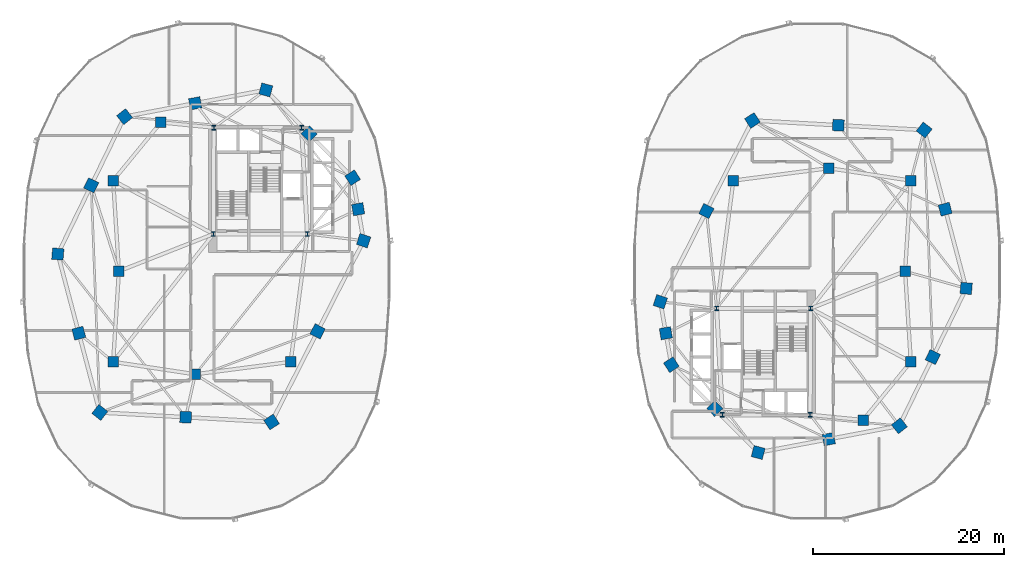
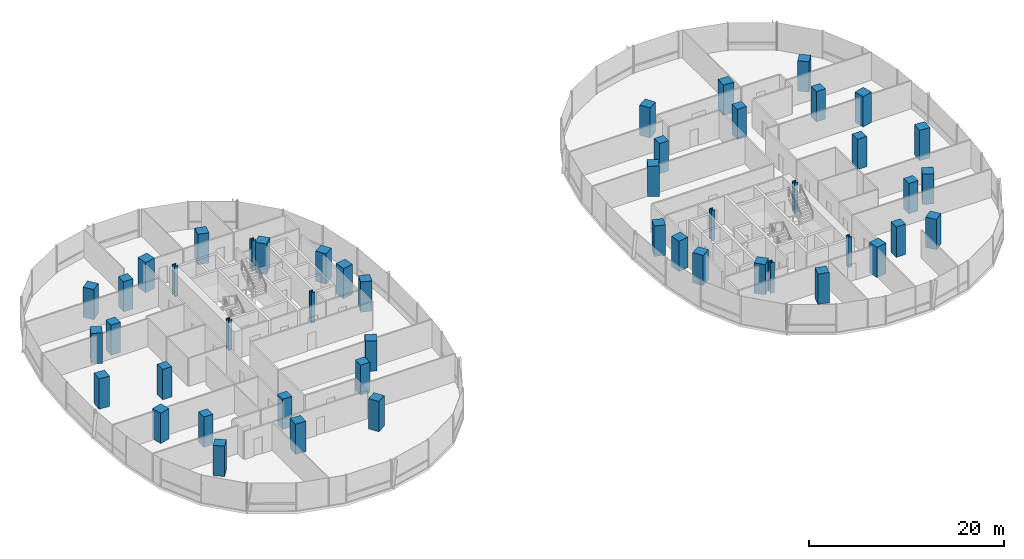
# One storey, part 1 of 22: 48 columns.
"""IFC4 building model written with IfcOpenShell, lengths in metres."""

from ifc_helpers import new_model, si_unit, direction, frame, origin, origin_2d, place, context, subcontext, project, spatial, rectangle, i_section, extrude, material, material_profile, profile_set, type_object, element, save


model = new_model("IFC4")

# Units and contexts
model_context = context("Model", 3, precision=1e-05, world=origin(), true_north=direction((0.0, 1.0)))
body_context = subcontext(model_context, "Body", "Model", "MODEL_VIEW")
ifc_project = project(units=[si_unit("LENGTHUNIT", "METRE"), si_unit("AREAUNIT", "SQUARE_METRE"), si_unit("VOLUMEUNIT", "CUBIC_METRE"), si_unit("PLANEANGLEUNIT", "RADIAN"), si_unit("MASSUNIT", "GRAM", prefix="KILO"), si_unit("THERMODYNAMICTEMPERATUREUNIT", "KELVIN"), si_unit("POWERUNIT", "WATT")], contexts=[model_context])

# Site, building, storey
site_placement = place(None, origin())
site = spatial("IfcSite", under=ifc_project, at=site_placement, CompositionType="ELEMENT")
building_placement = place(site_placement, origin())
building = spatial("IfcBuilding", under=site, at=building_placement, Name="Cundina Bronze Exchange", CompositionType="ELEMENT")
storey_placement = place(building_placement, frame((0.0, 0.0, 39.199951171875)))
storey = spatial("IfcBuildingStorey", under=building, at=storey_placement, Name="L09", CompositionType="ELEMENT", Elevation=39.199951171875)

# Columns
ifc_material_1 = material(Name="Steel ASTM A992 Grade 50", Category="steel")
ifc_material_profile_1 = material_profile(ifc_material_1, i_section(OverallWidth=0.431884765625, OverallDepth=0.498046875, WebThickness=0.0556640625, FlangeThickness=0.0888671875, FilletRadius=0.01806640625, at=origin_2d()), Name="W14X500", Category="steel")
ifc_profile_set_1 = profile_set([ifc_material_profile_1], Name="Steel ASTM A992 Grade 50")
column_type_1 = type_object("IfcColumnType", Name="COL-STL-W14A", PredefinedType="COLUMN", material=ifc_profile_set_1)
for number, where, z_axis, x_axis, name in (
    (1, (-31.300048828125, 3.89990234375, 0.0), (0.0, 0.0, 1.0), (1.0, 0.0, 0.0), "L09 Core Anchor Column W1"),
    (2, (-21.449951171875, 3.89990234375, 0.0), (0.0, 0.0, 1.0), (1.0, 0.0, 0.0), "L09 Core Anchor Column W2"),
    (3, (-22.050048828125, 15.050048828125, 0.0), (0.0, 0.0, 1.0), (1.0, 0.0, 0.0), "L09 Core Anchor Column W3"),
    (4, (-31.25, 15.050048828125, 0.0), (0.0, 0.0, 1.0), (1.0, 0.0, 0.0), "L09 Core Anchor Column W4"),
    (5, (31.300048828125, -3.89990234375, 0.0), (0.0, 0.0, 1.0), (1.0, 0.0, 0.0), "L09 Core Anchor Column E1"),
    (6, (21.449951171875, -3.89990234375, 0.0), (0.0, 0.0, 1.0), (1.0, 0.0, 0.0), "L09 Core Anchor Column E2"),
    (7, (22.050048828125, -15.050048828125, 0.0), (0.0, 0.0, 1.0), (1.0, 0.0, 0.0), "L09 Core Anchor Column E3"),
    (8, (31.25, -15.050048828125, 0.0), (0.0, 0.0, 1.0), (1.0, 0.0, 0.0), "L09 Core Anchor Column E4"),
):
    element("IfcColumn", number, at=place(storey_placement, frame(where, z_axis=z_axis, x_axis=x_axis)), inside=storey, type_object=column_type_1, Name=name, PredefinedType="COLUMN", context=body_context, shape_type="SweptSolid", body=[
        extrude(i_section(OverallWidth=0.431884765625, OverallDepth=0.498046875, WebThickness=0.0556640625, FlangeThickness=0.0888671875, FilletRadius=0.01806640625, at=origin_2d()), origin(), (0.0, 0.0, 1.0), 3.800048828125),
    ])
ifc_material_2 = material(Name="Concrete C60/75", Category="concrete")
ifc_material_profile_2 = material_profile(ifc_material_2, rectangle(XDim=1.199951171875, YDim=1.199951171875, at=origin_2d()), Name="RC1200X1200", Category="concrete")
ifc_profile_set_2 = profile_set([ifc_material_profile_2], Name="Concrete C60/75")
column_type_2 = type_object("IfcColumnType", Name="COL-Z1-1200", PredefinedType="COLUMN", material=ifc_profile_set_2)
for number, where, z_axis, x_axis, name in (
    (9, (-15.550048828125, 3.199951171875, 0.0), (0.0, 0.0, 1.0), (0.315152163383, 0.949041155016, 0.0), "L09 W Perimeter Column 00"),
    (10, (-16.125, 6.5, 0.0), (0.0, 0.0, 1.0), (-0.171585221787, 0.985169280715, 0.0), "L09 W Perimeter Column 01"),
    (11, (-16.699951171875, 9.800048828125, 0.0), (0.0, 0.0, 1.0), (-0.544199833495, 0.838955625301, 0.0), "L09 W Perimeter Column 02"),
    (12, (-21.25, 14.39990234375, 0.0), (0.0, 0.0, 1.0), (-0.703270634186, 0.710922228581, 0.0), "L09 W Perimeter Column 03"),
    (13, (-25.800048828125, 19.0, 0.0), (0.0, 0.0, 1.0), (-0.965970984022, 0.258650455301, 0.0), "L09 W Perimeter Column 04"),
    (14, (-33.199951171875, 17.60009765625, 0.0), (0.0, 0.0, 1.0), (-0.98258037664, -0.185838110843, 0.0), "L09 W Perimeter Column 05"),
    (15, (-40.60009765625, 16.199951171875, 0.0), (0.0, 0.0, 1.0), (-0.785100778485, -0.619368038909, 0.0), "L09 W Perimeter Column 06"),
    (16, (-44.10009765625, 9.0, 0.0), (0.0, 0.0, 1.0), (-0.437115766651, -0.899405251566, 0.0), "L09 W Perimeter Column 07"),
    (17, (-47.60009765625, 1.800048828125, 0.0), (0.0, 0.0, 1.0), (-0.083503921245, -0.996507448611, 0.0), "L09 W Perimeter Column 08"),
    (18, (-45.39990234375, -6.5, 0.0), (0.0, 0.0, 1.0), (0.256289373133, -0.966600102017, 0.0), "L09 W Perimeter Column 09"),
    (19, (-43.199951171875, -14.800048828125, 0.0), (0.0, 0.0, 1.0), (0.786288432137, -0.61785961309, 0.0), "L09 W Perimeter Column 10"),
    (20, (-34.199951171875, -15.300048828125, 0.0), (0.0, 0.0, 1.0), (0.998460188734, -0.055472980025, 0.0), "L09 W Perimeter Column 11"),
    (21, (-25.199951171875, -15.800048828125, 0.0), (0.0, 0.0, 1.0), (0.838099763533, 0.545516989988, 0.0), "L09 W Perimeter Column 12"),
    (22, (-20.375, -6.300048828125, 0.0), (0.0, 0.0, 1.0), (0.452901591366, 0.891560513111, 0.0), "L09 W Perimeter Column 13"),
    (23, (15.550048828125, -3.199951171875, 0.0), (0.0, 0.0, 1.0), (-0.315152163383, -0.949041155016, 0.0), "L09 E Perimeter Column 00"),
    (24, (16.125, -6.5, 0.0), (0.0, 0.0, 1.0), (0.171585221787, -0.985169280715, 0.0), "L09 E Perimeter Column 01"),
    (25, (16.699951171875, -9.800048828125, 0.0), (0.0, 0.0, 1.0), (0.544199833495, -0.838955625301, 0.0), "L09 E Perimeter Column 02"),
    (26, (21.25, -14.39990234375, 0.0), (0.0, 0.0, 1.0), (0.703270634186, -0.710922228581, 0.0), "L09 E Perimeter Column 03"),
    (27, (25.800048828125, -19.0, 0.0), (0.0, 0.0, 1.0), (0.965970984022, -0.258650455301, 0.0), "L09 E Perimeter Column 04"),
    (28, (33.199951171875, -17.60009765625, 0.0), (0.0, 0.0, 1.0), (0.98258037664, 0.185838110843, 0.0), "L09 E Perimeter Column 05"),
    (29, (40.60009765625, -16.199951171875, 0.0), (0.0, 0.0, 1.0), (0.785100778485, 0.619368038909, 0.0), "L09 E Perimeter Column 06"),
    (30, (44.10009765625, -9.0, 0.0), (0.0, 0.0, 1.0), (0.437115766651, 0.899405251566, 0.0), "L09 E Perimeter Column 07"),
    (31, (47.60009765625, -1.800048828125, 0.0), (0.0, 0.0, 1.0), (0.083503921245, 0.996507448611, 0.0), "L09 E Perimeter Column 08"),
    (32, (45.39990234375, 6.5, 0.0), (0.0, 0.0, 1.0), (-0.256289373133, 0.966600102017, 0.0), "L09 E Perimeter Column 09"),
    (33, (43.199951171875, 14.800048828125, 0.0), (0.0, 0.0, 1.0), (-0.786288432137, 0.61785961309, 0.0), "L09 E Perimeter Column 10"),
    (34, (34.199951171875, 15.300048828125, 0.0), (0.0, 0.0, 1.0), (-0.998460188734, 0.055472980025, 0.0), "L09 E Perimeter Column 11"),
    (35, (25.199951171875, 15.800048828125, 0.0), (0.0, 0.0, 1.0), (-0.838099763533, -0.545516989988, 0.0), "L09 E Perimeter Column 12"),
    (36, (20.375, 6.300048828125, 0.0), (0.0, 0.0, 1.0), (-0.452901591366, -0.891560513111, 0.0), "L09 E Perimeter Column 13"),
):
    element("IfcColumn", number, at=place(storey_placement, frame(where, z_axis=z_axis, x_axis=x_axis)), inside=storey, type_object=column_type_2, Name=name, PredefinedType="COLUMN", context=body_context, shape_type="SweptSolid", body=[
        extrude(rectangle(XDim=1.199951171875, YDim=1.199951171875, at=origin_2d()), origin(), (0.0, 0.0, 1.0), 3.800048828125),
    ])
ifc_material_profile_3 = material_profile(ifc_material_2, rectangle(XDim=1.10009765625, YDim=1.10009765625, at=origin_2d()), Name="RC1100X1100", Category="concrete")
ifc_profile_set_3 = profile_set([ifc_material_profile_3], Name="Concrete C60/75")
column_type_3 = type_object("IfcColumnType", Name="COL-Z2-1100", PredefinedType="COLUMN", material=ifc_profile_set_3)
for number, where, z_axis, x_axis, name in (
    (37, (-41.199951171875, 0.0, 0.0), (0.0, 0.0, 1.0), (1.0, 0.0, 0.0), "L09 W Inner Ring Column 1"),
    (38, (-41.800048828125, 9.5, 0.0), (0.0, 0.0, 1.0), (1.0, 0.0, 0.0), "L09 W Inner Ring Column 2"),
    (39, (-36.800048828125, 15.60009765625, 0.0), (0.0, 0.0, 1.0), (1.0, 0.0, 0.0), "L09 W Inner Ring Column 3"),
    (40, (-41.800048828125, -9.5, 0.0), (0.0, 0.0, 1.0), (1.0, 0.0, 0.0), "L09 W Inner Ring Column 4"),
    (41, (-33.199951171875, -10.800048828125, 0.0), (0.0, 0.0, 1.0), (1.0, 0.0, 0.0), "L09 W Inner Ring Column 5"),
    (42, (-23.199951171875, -9.5, 0.0), (0.0, 0.0, 1.0), (1.0, 0.0, 0.0), "L09 W Inner Ring Column 6"),
    (43, (41.199951171875, 0.0, 0.0), (0.0, 0.0, 1.0), (1.0, 0.0, 0.0), "L09 E Inner Ring Column 1"),
    (44, (41.800048828125, -9.5, 0.0), (0.0, 0.0, 1.0), (1.0, 0.0, 0.0), "L09 E Inner Ring Column 2"),
    (45, (36.800048828125, -15.60009765625, 0.0), (0.0, 0.0, 1.0), (1.0, 0.0, 0.0), "L09 E Inner Ring Column 3"),
    (46, (41.800048828125, 9.5, 0.0), (0.0, 0.0, 1.0), (1.0, 0.0, 0.0), "L09 E Inner Ring Column 4"),
    (47, (33.199951171875, 10.800048828125, 0.0), (0.0, 0.0, 1.0), (1.0, 0.0, 0.0), "L09 E Inner Ring Column 5"),
    (48, (23.199951171875, 9.5, 0.0), (0.0, 0.0, 1.0), (1.0, 0.0, 0.0), "L09 E Inner Ring Column 6"),
):
    element("IfcColumn", number, at=place(storey_placement, frame(where, z_axis=z_axis, x_axis=x_axis)), inside=storey, type_object=column_type_3, Name=name, PredefinedType="COLUMN", context=body_context, shape_type="SweptSolid", body=[
        extrude(rectangle(XDim=1.10009765625, YDim=1.10009765625, at=origin_2d()), origin(), (0.0, 0.0, 1.0), 3.800048828125),
    ])

save(model, "model.ifc")
